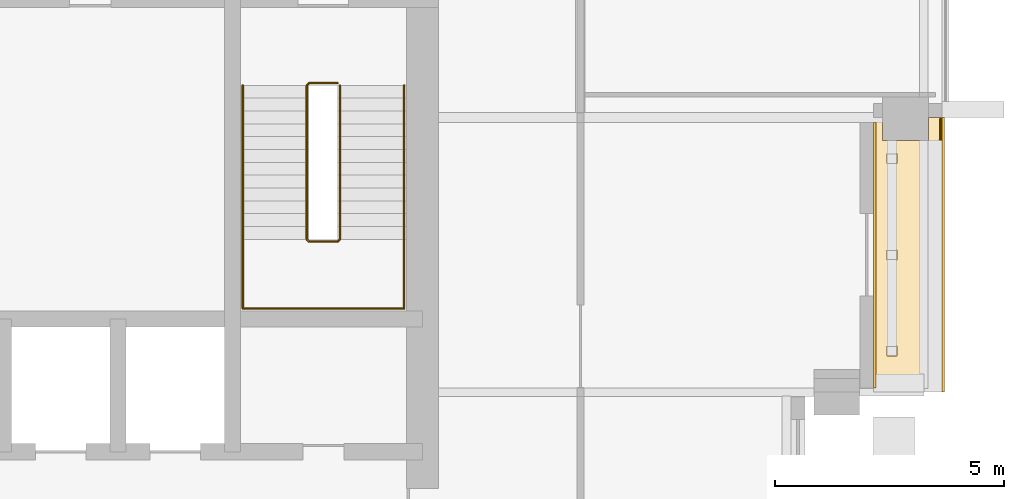
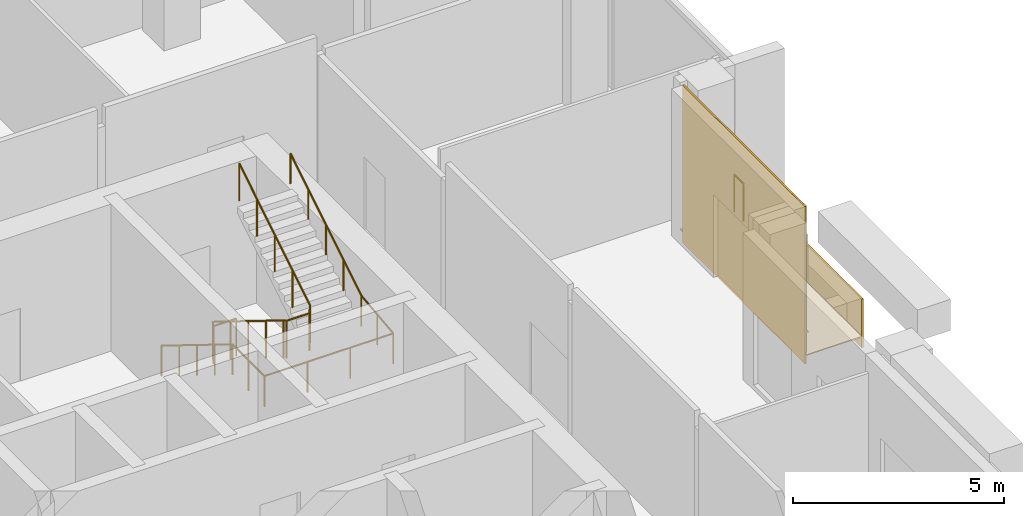
# One storey, part 10 of 11: 3 coverings, 3 railings.
"""IFC4 building model written with IfcOpenShell, lengths in metres."""

from ifc_helpers import new_model, si_unit, direction, frame, origin, origin_2d, place, context, subcontext, project, spatial, polyline, circle, outline, extrude, material, layer, layer_set, type_object, element, save


model = new_model("IFC4")

# Units and contexts
model_context = context("Model", 3, precision=1e-05, world=origin(), true_north=direction((0.0, 1.0)))
body_context = subcontext(model_context, "Body", "Model", "MODEL_VIEW")
ifc_project = project(units=[si_unit("LENGTHUNIT", "METRE"), si_unit("AREAUNIT", "SQUARE_METRE"), si_unit("VOLUMEUNIT", "CUBIC_METRE"), si_unit("PLANEANGLEUNIT", "RADIAN"), si_unit("MASSUNIT", "GRAM", prefix="KILO")], contexts=[model_context])

# Site, building, storey
site_placement = place(None, origin())
site = spatial("IfcSite", under=ifc_project, at=site_placement, CompositionType="ELEMENT")
building_placement = place(site_placement, origin())
building = spatial("IfcBuilding", under=site, at=building_placement, Name="Amberfall Residences", CompositionType="ELEMENT")
storey_placement = place(building_placement, frame((0.0, 0.0, 150.39990234375)))
storey = spatial("IfcBuildingStorey", under=building, at=storey_placement, Name="L40", CompositionType="ELEMENT", Elevation=150.39990234375)

# Coverings
ifc_material_1 = material(Name="Pale limestone cladding", Category="masonry")
ifc_layer_1 = layer(ifc_material_1, 0.050048828125)
ifc_layer_set_1 = layer_set([ifc_layer_1], Name="Limestone fascia 50")
covering_type_1 = type_object("IfcCoveringType", Name="Limestone fascia 50", PredefinedType="CLADDING", material=ifc_layer_set_1)
covering_1_placement = place(storey_placement, frame((0.0, 0.0, -0.2998046875)))
element("IfcCovering", 1, at=covering_1_placement, inside=storey, type_object=covering_type_1, Name="Limestone terrace fascia L40 E1", PredefinedType="CLADDING", context=body_context, shape_type="SweptSolid", body=[
    extrude(outline(polyline([(97.5, 48.39990234375), (97.5, 54.39990234375), (97.550048828125, 54.39990234375), (97.550048828125, 48.39990234375), (97.5, 48.39990234375)])), origin(), (0.0, 0.0, 1.0), 1.39990234375),
])
covering_2_placement = place(storey_placement, frame((96.0, 48.489990234375, 4.25), z_axis=(-1.0, 0.0, 0.0), x_axis=(0.0, 1.0, 0.0)))
element("IfcCovering", 2, at=covering_2_placement, inside=storey, type_object=covering_type_1, Name="Pale limestone cladding L40 E", PredefinedType="CLADDING", context=body_context, shape_type="SweptSolid", body=[
    extrude(outline(polyline([(0.0, 0.0), (5.800048828125, 0.0), (5.800048828125, 4.5498046875), (0.0, 4.5498046875), (0.0, 0.0)])), origin(), (0.0, 0.0, -1.0), 0.050048828125),
])
ifc_material_2 = material(Name="Pale stone paving", Category="masonry")
ifc_layer_2 = layer(ifc_material_2, 0.030029296875)
ifc_layer_set_2 = layer_set([ifc_layer_2], Name="Pale stone paving 30")
covering_type_2 = type_object("IfcCoveringType", Name="Pale stone paving 30", PredefinedType="FLOORING", material=ifc_layer_set_2)
covering_3_placement = place(storey_placement, origin())
element("IfcCovering", 3, at=covering_3_placement, inside=storey, type_object=covering_type_2, Name="Pale stone paving L40 E4", PredefinedType="FLOORING", context=body_context, shape_type="SweptSolid", body=[
    extrude(outline(polyline([(97.5, 54.39990234375), (97.199951171875, 54.39990234375), (97.199951171875, 53.89990234375), (96.199951171875, 53.89990234375), (96.199951171875, 54.39990234375), (96.0, 54.39990234375), (96.0, 48.39990234375), (97.5, 48.39990234375), (97.5, 54.39990234375)]), holes=[polyline([(96.2900390625, 49.18994140625), (96.510009765625, 49.18994140625), (96.510009765625, 49.409912109375), (96.2900390625, 49.409912109375), (96.2900390625, 49.18994140625)]), polyline([(96.2900390625, 51.2900390625), (96.510009765625, 51.2900390625), (96.510009765625, 51.510009765625), (96.2900390625, 51.510009765625), (96.2900390625, 51.2900390625)]), polyline([(96.2900390625, 53.389892578125), (96.510009765625, 53.389892578125), (96.510009765625, 53.610107421875), (96.2900390625, 53.610107421875), (96.2900390625, 53.389892578125)])]), origin(), (0.0, 0.0, 1.0), 0.030029296875),
])

# Railings
ifc_material_3 = material(Name="Stainless steel 316", Category="steel")
railing_type_1 = type_object("IfcRailingType", Name="Stair guard 1100", PredefinedType="GUARDRAIL", material=ifc_material_3)
railing_1_placement = place(storey_placement, frame((84.300048828125, 55.14990234375, 0.0)))
element("IfcRailing", 4, at=railing_1_placement, inside=storey, type_object=railing_type_1, Name="L40 stair 3 guard", PredefinedType="GUARDRAIL", context=body_context, shape_type="SweptSolid", body=[
    extrude(circle(Radius=0.02392578125, at=origin_2d()), frame((0.0, 0.0, 1.076171875), z_axis=(-1.0, 0.0, 0.0), x_axis=(0.0, -1.0, 0.0)), (0.0, 0.0, 1.0), 0.625),
    extrude(circle(Radius=0.02392578125, at=origin_2d()), frame((-0.625, 0.0, 1.076171875), z_axis=(-0.267723051232, -0.266417085129, 0.925929967433), x_axis=(0.705375805398, -0.708833529934, 0.0)), (0.0, 0.0, 1.0), 0.18701171875),
    extrude(circle(Radius=0.02392578125, at=origin_2d()), frame((-0.675048828125, -0.0498046875, 1.2490234375), z_axis=(0.0, -0.850623216509, 0.525775754039), x_axis=(1.0, 0.0, 0.0)), (0.0, 0.0, 1.0), 3.9501953125),
    extrude(circle(Radius=0.02392578125, at=origin_2d()), frame((-0.675048828125, -3.409912109375, 3.326171875), z_axis=(0.707106781187, -0.707106781187, 0.0), x_axis=(0.707106781187, 0.707106781187, 0.0)), (0.0, 0.0, 1.0), 0.07080078125),
    extrude(circle(Radius=0.02392578125, at=origin_2d()), frame((-0.625, -3.4599609375, 3.326171875), z_axis=(1.0, 0.0, 0.0), x_axis=(0.0, 1.0, 0.0)), (0.0, 0.0, 1.0), 0.625),
    extrude(circle(Radius=0.02392578125, at=origin_2d()), frame((0.0, -3.4599609375, 3.326171875), z_axis=(0.267629722418, 0.267629722418, 0.925607186314), x_axis=(-0.707106781187, 0.707106781187, 0.0)), (0.0, 0.0, 1.0), 0.18701171875),
    extrude(circle(Radius=0.02392578125, at=origin_2d()), frame((0.050048828125, -3.409912109375, 3.4990234375), z_axis=(0.0, 0.850623216509, 0.525775754039), x_axis=(-1.0, 0.0, 0.0)), (0.0, 0.0, 1.0), 3.9501953125),
    extrude(circle(Radius=0.02099609375, at=origin_2d()), origin(), (0.0, 0.0, 1.0), 1.052001953125),
    extrude(circle(Radius=0.02099609375, at=origin_2d()), frame((-0.625, 0.0, 0.0)), (0.0, 0.0, 1.0), 1.052001953125),
    extrude(circle(Radius=0.02099609375, at=origin_2d()), frame((-0.675048828125, -0.0498046875, 0.173095703125)), (0.0, 0.0, 1.0), 1.052001953125),
    extrude(circle(Radius=0.02099609375, at=origin_2d()), frame((-0.675048828125, -0.889892578125, 0.6923828125)), (0.0, 0.0, 1.0), 1.052001953125),
    extrude(circle(Radius=0.02099609375, at=origin_2d()), frame((-0.675048828125, -1.72998046875, 1.21142578125)), (0.0, 0.0, 1.0), 1.052001953125),
    extrude(circle(Radius=0.02099609375, at=origin_2d()), frame((-0.675048828125, -2.56982421875, 1.730712890625)), (0.0, 0.0, 1.0), 1.052001953125),
    extrude(circle(Radius=0.02099609375, at=origin_2d()), frame((-0.675048828125, -3.409912109375, 2.25)), (0.0, 0.0, 1.0), 1.052001953125),
    extrude(circle(Radius=0.02099609375, at=origin_2d()), frame((-0.625, -3.4599609375, 2.25)), (0.0, 0.0, 1.0), 1.052001953125),
    extrude(circle(Radius=0.02099609375, at=origin_2d()), frame((0.0, -3.4599609375, 2.25)), (0.0, 0.0, 1.0), 1.052001953125),
    extrude(circle(Radius=0.02099609375, at=origin_2d()), frame((0.050048828125, -3.409912109375, 2.423095703125)), (0.0, 0.0, 1.0), 1.052001953125),
    extrude(circle(Radius=0.02099609375, at=origin_2d()), frame((0.050048828125, -2.56982421875, 2.9423828125)), (0.0, 0.0, 1.0), 1.052001953125),
    extrude(circle(Radius=0.02099609375, at=origin_2d()), frame((0.050048828125, -1.72998046875, 3.46142578125)), (0.0, 0.0, 1.0), 1.052001953125),
    extrude(circle(Radius=0.02099609375, at=origin_2d()), frame((0.050048828125, -0.889892578125, 3.980712890625)), (0.0, 0.0, 1.0), 1.052001953125),
    extrude(circle(Radius=0.02099609375, at=origin_2d()), frame((0.050048828125, -0.0498046875, 4.5)), (0.0, 0.0, 1.0), 1.052001953125),
])
railing_type_2 = type_object("IfcRailingType", Name="Stair handrail 900", PredefinedType="HANDRAIL", material=ifc_material_3)
railing_2_placement = place(storey_placement, frame((82.22509765625, 55.10009765625, 0.173095703125)))
element("IfcRailing", 5, at=railing_2_placement, inside=storey, type_object=railing_type_2, Name="L40 stair 3 handrail", PredefinedType="HANDRAIL", context=body_context, shape_type="SweptSolid", body=[
    extrude(circle(Radius=0.02392578125, at=origin_2d()), frame((0.0, 0.0, 0.8759765625), z_axis=(0.0, -0.850623216509, 0.525775754039), x_axis=(1.0, 0.0, 0.0)), (0.0, 0.0, 1.0), 3.9501953125),
    extrude(circle(Radius=0.02392578125, at=origin_2d()), frame((0.0, -3.360107421875, 2.95263671875), z_axis=(0.0, -1.0, 0.0), x_axis=(1.0, 0.0, 0.0)), (0.0, 0.0, 1.0), 1.514892578125),
    extrude(circle(Radius=0.02392578125, at=origin_2d()), frame((0.0, -4.875, 2.95263671875), z_axis=(1.0, 0.0, 0.0), x_axis=(0.0, 1.0, 0.0)), (0.0, 0.0, 1.0), 3.52490234375),
    extrude(circle(Radius=0.02392578125, at=origin_2d()), frame((3.52490234375, -4.875, 2.95263671875), z_axis=(0.0, 0.993535252875, 0.113524011972), x_axis=(-1.0, 0.0, 0.0)), (0.0, 0.0, 1.0), 1.524658203125),
    extrude(circle(Radius=0.02392578125, at=origin_2d()), frame((3.52490234375, -3.360107421875, 3.1259765625), z_axis=(0.0, 0.850623216509, 0.525775754039), x_axis=(-1.0, 0.0, 0.0)), (0.0, 0.0, 1.0), 3.9501953125),
    extrude(circle(Radius=0.02099609375, at=origin_2d()), origin(), (0.0, 0.0, 1.0), 0.851806640625),
    extrude(circle(Radius=0.02099609375, at=origin_2d()), frame((0.0, -0.840087890625, 0.519287109375)), (0.0, 0.0, 1.0), 0.851806640625),
    extrude(circle(Radius=0.02099609375, at=origin_2d()), frame((0.0, -1.68017578125, 1.03857421875)), (0.0, 0.0, 1.0), 0.851806640625),
    extrude(circle(Radius=0.02099609375, at=origin_2d()), frame((0.0, -2.52001953125, 1.5576171875)), (0.0, 0.0, 1.0), 0.851806640625),
    extrude(circle(Radius=0.02099609375, at=origin_2d()), frame((0.0, -3.360107421875, 2.076904296875)), (0.0, 0.0, 1.0), 0.851806640625),
    extrude(circle(Radius=0.02099609375, at=origin_2d()), frame((0.0, -4.11767578125, 2.076904296875)), (0.0, 0.0, 1.0), 0.851806640625),
    extrude(circle(Radius=0.02099609375, at=origin_2d()), frame((0.0, -4.875, 2.076904296875)), (0.0, 0.0, 1.0), 0.851806640625),
    extrude(circle(Radius=0.02099609375, at=origin_2d()), frame((1.175048828125, -4.875, 2.076904296875)), (0.0, 0.0, 1.0), 0.851806640625),
    extrude(circle(Radius=0.02099609375, at=origin_2d()), frame((2.349853515625, -4.875, 2.076904296875)), (0.0, 0.0, 1.0), 0.851806640625),
    extrude(circle(Radius=0.02099609375, at=origin_2d()), frame((3.52490234375, -4.875, 2.076904296875)), (0.0, 0.0, 1.0), 0.851806640625),
    extrude(circle(Radius=0.02099609375, at=origin_2d()), frame((3.52490234375, -4.11767578125, 2.16357421875)), (0.0, 0.0, 1.0), 0.851806640625),
    extrude(circle(Radius=0.02099609375, at=origin_2d()), frame((3.52490234375, -3.360107421875, 2.25)), (0.0, 0.0, 1.0), 0.851806640625),
    extrude(circle(Radius=0.02099609375, at=origin_2d()), frame((3.52490234375, -2.52001953125, 2.769287109375)), (0.0, 0.0, 1.0), 0.851806640625),
    extrude(circle(Radius=0.02099609375, at=origin_2d()), frame((3.52490234375, -1.68017578125, 3.28857421875)), (0.0, 0.0, 1.0), 0.851806640625),
    extrude(circle(Radius=0.02099609375, at=origin_2d()), frame((3.52490234375, -0.840087890625, 3.8076171875)), (0.0, 0.0, 1.0), 0.851806640625),
    extrude(circle(Radius=0.02099609375, at=origin_2d()), frame((3.52490234375, 0.0, 4.326904296875)), (0.0, 0.0, 1.0), 0.851806640625),
])
ifc_material_4 = material(Name="Bronze anodised aluminium and laminated glass", Category="aluminium")
railing_type_3 = type_object("IfcRailingType", Name="Terrace edge guard 1100", PredefinedType="GUARDRAIL", material=ifc_material_4)
railing_3_placement = place(storey_placement, frame((97.4599609375, 53.919921875, 0.030029296875)))
element("IfcRailing", 6, at=railing_3_placement, inside=storey, type_object=railing_type_3, Name="Terrace guard L40 E4", PredefinedType="GUARDRAIL", context=body_context, shape_type="SweptSolid", body=[
    extrude(circle(Radius=0.02392578125, at=origin_2d()), frame((0.0, 0.0, 1.076171875), z_axis=(0.007142674934, 0.999974490772, 0.0), x_axis=(-0.999974490772, 0.007142674934, 0.0)), (0.0, 0.0, 1.0), 0.4443359375),
    extrude(circle(Radius=0.02099609375, at=origin_2d()), origin(), (0.0, 0.0, 1.0), 1.052001953125),
    extrude(circle(Radius=0.02099609375, at=origin_2d()), frame((0.003173828125, 0.4443359375, 0.0)), (0.0, 0.0, 1.0), 1.052001953125),
])

save(model, "model.ifc")
